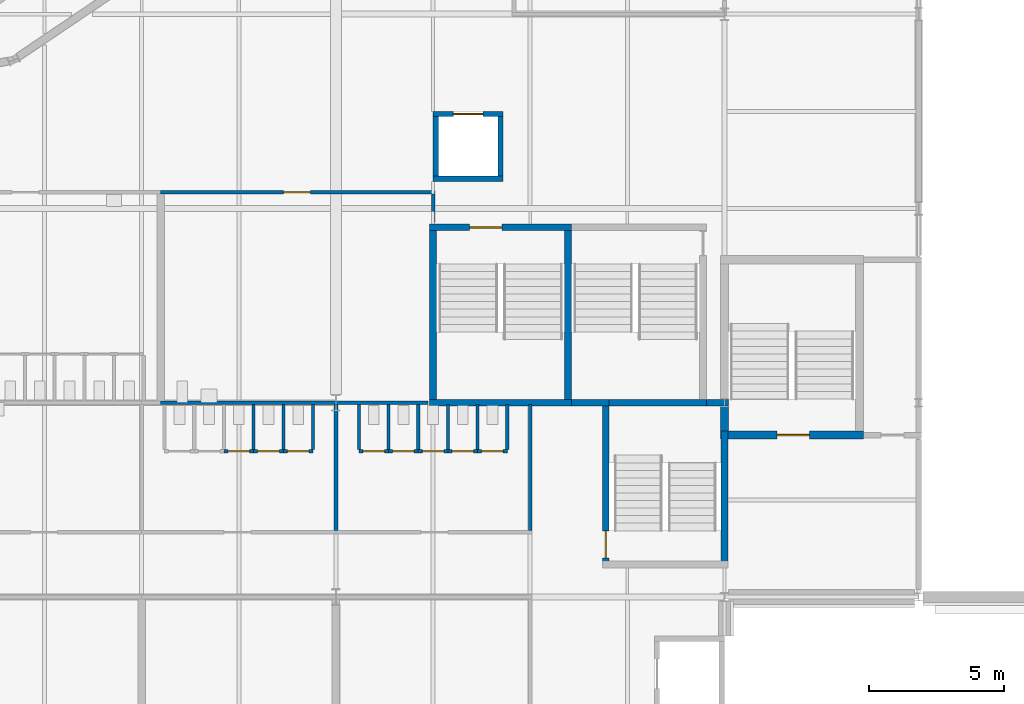
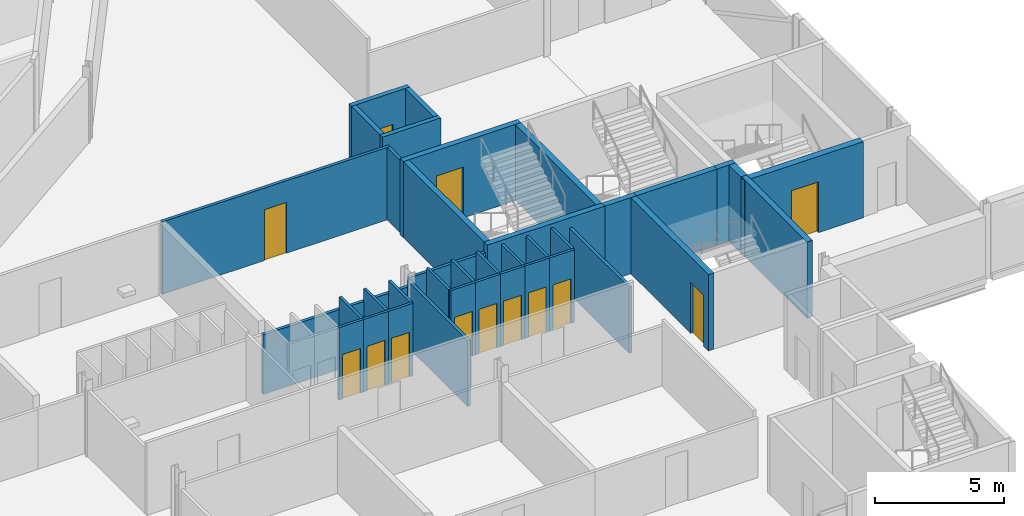
# One storey, part 49 of 90: 38 walls, 13 doors, 13 openings.
"""IFC4 building model written with IfcOpenShell, lengths in metres."""

from ifc_helpers import new_model, si_unit, direction, frame, frame_2d, origin, place, context, subcontext, project, spatial, rectangle, extrude, material, layer, layer_set, type_object, element, fill, save


model = new_model("IFC4")

# Units and contexts
model_context = context("Model", 3, precision=1e-05, world=origin(), true_north=direction((0.0, 1.0)))
body_context = subcontext(model_context, "Body", "Model", "MODEL_VIEW")
ifc_project = project(units=[si_unit("LENGTHUNIT", "METRE"), si_unit("AREAUNIT", "SQUARE_METRE"), si_unit("VOLUMEUNIT", "CUBIC_METRE"), si_unit("PLANEANGLEUNIT", "RADIAN"), si_unit("MASSUNIT", "GRAM", prefix="KILO")], contexts=[model_context])

# Site, building, storey
site_placement = place(None, origin())
site = spatial("IfcSite", under=ifc_project, at=site_placement, CompositionType="ELEMENT")
building_placement = place(site_placement, origin())
building = spatial("IfcBuilding", under=site, at=building_placement, Name="Kupolbacken Congress Centre", CompositionType="ELEMENT")
storey_placement = place(building_placement, frame((0.0, 0.0, 3.60009765625)))
storey = spatial("IfcBuildingStorey", under=building, at=storey_placement, Name="L01", CompositionType="ELEMENT", Elevation=3.60009765625)

# Wall, opening, door
ifc_material_1 = material(Name="Gypsum board", Category="drywall")
ifc_layer_1 = layer(ifc_material_1, 0.114990234375)
ifc_layer_set_1 = layer_set([ifc_layer_1], Name="Gypsum board")
wall_type_1 = type_object("IfcWallType", Name="P04 partition 115", PredefinedType="PARTITIONING", material=ifc_layer_set_1)
wall_1_placement = place(storey_placement, frame((60.64990234375, 48.60009765625, 0.0), z_axis=(0.0, 0.0, 1.0), x_axis=(1.0, 0.0, 0.0)))
wall_1 = element("IfcWall", 1, at=wall_1_placement, inside=storey, type_object=wall_type_1, Name="PD/L01/F-WC-02/cub03/F", PredefinedType="PARTITIONING", context=body_context, shape_type="SweptSolid", body=[
    extrude(rectangle(XDim=1.10009765625, YDim=0.114990234375, at=frame_2d((0.550048828125, 0.0))), origin(), (0.0, 0.0, 1.0), 3.419921875),
])
opening_1_placement = place(wall_1_placement, frame((0.14990234375, 0.0, 0.0)))
opening_1 = element("IfcOpeningElement", 2, at=opening_1_placement, cuts=wall_1, Name="Opening 1.WF23", PredefinedType="OPENING", context=body_context, shape_type="SweptSolid", body=[
    extrude(rectangle(XDim=0.800048828125, YDim=2.10009765625, at=frame_2d((0.39990234375, 1.050048828125))), frame((0.0, 0.0673828125, 0.0), z_axis=(0.0, -1.0, 0.0), x_axis=(1.0, 0.0, 0.0)), (0.0, 0.0, 1.0), 0.135009765625),
])
ifc_material_2 = material(Name="Timber door leaf", Category="wood")
door_type_1 = type_object("IfcDoorType", Name="D2 door 800x2100", OperationType="SINGLE_SWING_LEFT", PredefinedType="DOOR", material=ifc_material_2)
door_1_placement = place(opening_1_placement, origin())
door_1 = element("IfcDoor", 3, at=door_1_placement, inside=storey, type_object=door_type_1, Name="PD/L01/F-WC-02/cub03/F/DC", OperationType="SINGLE_SWING_RIGHT", OverallHeight=2.10009765625, OverallWidth=0.800048828125, PredefinedType="DOOR", context=body_context, shape_type="SweptSolid", body=[
    extrude(rectangle(XDim=0.800048828125, YDim=2.10009765625, at=frame_2d((0.39990234375, 1.050048828125))), frame((0.0, 0.02490234375, 0.0), z_axis=(0.0, -1.0, 0.0), x_axis=(1.0, 0.0, 0.0)), (0.0, 0.0, 1.0), 0.050048828125),
])
fill(opening_1, door_1)

wall_2_placement = place(storey_placement, frame((61.75, 48.60009765625, 0.0), z_axis=(0.0, 0.0, 1.0), x_axis=(1.0, 0.0, 0.0)))
wall_2 = element("IfcWall", 4, at=wall_2_placement, inside=storey, type_object=wall_type_1, Name="PD/L01/F-WC-02/cub04/F", PredefinedType="PARTITIONING", context=body_context, shape_type="SweptSolid", body=[
    extrude(rectangle(XDim=1.10009765625, YDim=0.114990234375, at=frame_2d((0.550048828125, 0.0))), origin(), (0.0, 0.0, 1.0), 3.419921875),
])
opening_2_placement = place(wall_2_placement, frame((0.14990234375, 0.0, 0.0)))
opening_2 = element("IfcOpeningElement", 5, at=opening_2_placement, cuts=wall_2, Name="Opening 1.WF24", PredefinedType="OPENING", context=body_context, shape_type="SweptSolid", body=[
    extrude(rectangle(XDim=0.800048828125, YDim=2.10009765625, at=frame_2d((0.39990234375, 1.050048828125))), frame((0.0, 0.0673828125, 0.0), z_axis=(0.0, -1.0, 0.0), x_axis=(1.0, 0.0, 0.0)), (0.0, 0.0, 1.0), 0.135009765625),
])
door_2_placement = place(opening_2_placement, origin())
door_2 = element("IfcDoor", 6, at=door_2_placement, inside=storey, type_object=door_type_1, Name="PD/L01/F-WC-02/cub04/F/DC", OperationType="SINGLE_SWING_LEFT", OverallHeight=2.10009765625, OverallWidth=0.800048828125, PredefinedType="DOOR", context=body_context, shape_type="SweptSolid", body=[
    extrude(rectangle(XDim=0.800048828125, YDim=2.10009765625, at=frame_2d((0.39990234375, 1.050048828125))), frame((0.0, 0.02490234375, 0.0), z_axis=(0.0, -1.0, 0.0), x_axis=(1.0, 0.0, 0.0)), (0.0, 0.0, 1.0), 0.050048828125),
])
fill(opening_2, door_2)

# Wall
wall_3_placement = place(storey_placement, frame((61.75, 50.342529296875, 0.0), z_axis=(0.0, 0.0, 1.0), x_axis=(0.0, -1.0, 0.0)))
element("IfcWall", 7, at=wall_3_placement, inside=storey, type_object=wall_type_1, Name="PD/L01/F-WC-02/cub04/a", PredefinedType="PARTITIONING", context=body_context, shape_type="SweptSolid", body=[
    extrude(rectangle(XDim=1.68505859375, YDim=0.114990234375, at=frame_2d((0.842529296875, 0.0))), origin(), (0.0, 0.0, 1.0), 3.419921875),
])

# Wall, opening, door
wall_4_placement = place(storey_placement, frame((62.85009765625, 48.60009765625, 0.0), z_axis=(0.0, 0.0, 1.0), x_axis=(1.0, 0.0, 0.0)))
wall_4 = element("IfcWall", 8, at=wall_4_placement, inside=storey, type_object=wall_type_1, Name="PD/L01/F-WC-02/cub05/F", PredefinedType="PARTITIONING", context=body_context, shape_type="SweptSolid", body=[
    extrude(rectangle(XDim=1.099853515625, YDim=0.114990234375, at=frame_2d((0.5498046875, 0.0))), origin(), (0.0, 0.0, 1.0), 3.419921875),
])
opening_3_placement = place(wall_4_placement, frame((0.14990234375, 0.0, 0.0)))
opening_3 = element("IfcOpeningElement", 9, at=opening_3_placement, cuts=wall_4, Name="Opening 1.WF25", PredefinedType="OPENING", context=body_context, shape_type="SweptSolid", body=[
    extrude(rectangle(XDim=0.800048828125, YDim=2.10009765625, at=frame_2d((0.39990234375, 1.050048828125))), frame((0.0, 0.0673828125, 0.0), z_axis=(0.0, -1.0, 0.0), x_axis=(1.0, 0.0, 0.0)), (0.0, 0.0, 1.0), 0.135009765625),
])
door_3_placement = place(opening_3_placement, origin())
door_3 = element("IfcDoor", 10, at=door_3_placement, inside=storey, type_object=door_type_1, Name="PD/L01/F-WC-02/cub05/F/DC", OperationType="SINGLE_SWING_LEFT", OverallHeight=2.10009765625, OverallWidth=0.800048828125, PredefinedType="DOOR", context=body_context, shape_type="SweptSolid", body=[
    extrude(rectangle(XDim=0.800048828125, YDim=2.10009765625, at=frame_2d((0.39990234375, 1.050048828125))), frame((0.0, 0.02490234375, 0.0), z_axis=(0.0, -1.0, 0.0), x_axis=(1.0, 0.0, 0.0)), (0.0, 0.0, 1.0), 0.050048828125),
])
fill(opening_3, door_3)

# Walls
for number, where, z_axis, x_axis, name in (
    (11, (62.85009765625, 50.342529296875, 0.0), (0.0, 0.0, 1.0), (0.0, -1.0, 0.0), "PD/L01/F-WC-02/cub05/a"),
    (12, (63.949951171875, 50.342529296875, 0.0), (0.0, 0.0, 1.0), (0.0, -1.0, 0.0), "PD/L01/F-WC-02/cub05/b"),
):
    element("IfcWall", number, at=place(storey_placement, frame(where, z_axis=z_axis, x_axis=x_axis)), inside=storey, type_object=wall_type_1, Name=name, PredefinedType="PARTITIONING", context=body_context, shape_type="SweptSolid", body=[
        extrude(rectangle(XDim=1.68505859375, YDim=0.114990234375, at=frame_2d((0.842529296875, 0.0))), origin(), (0.0, 0.0, 1.0), 3.419921875),
    ])

# Wall, opening, door
wall_5_placement = place(storey_placement, frame((65.64990234375, 48.60009765625, 0.0), z_axis=(0.0, 0.0, 1.0), x_axis=(1.0, 0.0, 0.0)))
wall_5 = element("IfcWall", 13, at=wall_5_placement, inside=storey, type_object=wall_type_1, Name="PD/L01/F-WC-03/cub01/F", PredefinedType="PARTITIONING", context=body_context, shape_type="SweptSolid", body=[
    extrude(rectangle(XDim=1.10009765625, YDim=0.114990234375, at=frame_2d((0.550048828125, 0.0))), origin(), (0.0, 0.0, 1.0), 3.419921875),
])
opening_4_placement = place(wall_5_placement, frame((0.14990234375, 0.0, 0.0)))
opening_4 = element("IfcOpeningElement", 14, at=opening_4_placement, cuts=wall_5, Name="Opening 1.WF26", PredefinedType="OPENING", context=body_context, shape_type="SweptSolid", body=[
    extrude(rectangle(XDim=0.800048828125, YDim=2.10009765625, at=frame_2d((0.39990234375, 1.050048828125))), frame((0.0, 0.0673828125, 0.0), z_axis=(0.0, -1.0, 0.0), x_axis=(1.0, 0.0, 0.0)), (0.0, 0.0, 1.0), 0.135009765625),
])
door_4_placement = place(opening_4_placement, origin())
door_4 = element("IfcDoor", 15, at=door_4_placement, inside=storey, type_object=door_type_1, Name="PD/L01/F-WC-03/cub01/F/DC", OperationType="SINGLE_SWING_RIGHT", OverallHeight=2.10009765625, OverallWidth=0.800048828125, PredefinedType="DOOR", context=body_context, shape_type="SweptSolid", body=[
    extrude(rectangle(XDim=0.800048828125, YDim=2.10009765625, at=frame_2d((0.39990234375, 1.050048828125))), frame((0.0, 0.02490234375, 0.0), z_axis=(0.0, -1.0, 0.0), x_axis=(1.0, 0.0, 0.0)), (0.0, 0.0, 1.0), 0.050048828125),
])
fill(opening_4, door_4)

# Wall
wall_6_placement = place(storey_placement, frame((65.64990234375, 50.342529296875, 0.0), z_axis=(0.0, 0.0, 1.0), x_axis=(0.0, -1.0, 0.0)))
element("IfcWall", 16, at=wall_6_placement, inside=storey, type_object=wall_type_1, Name="PD/L01/F-WC-03/cub01/a", PredefinedType="PARTITIONING", context=body_context, shape_type="SweptSolid", body=[
    extrude(rectangle(XDim=1.68505859375, YDim=0.114990234375, at=frame_2d((0.842529296875, 0.0))), origin(), (0.0, 0.0, 1.0), 3.419921875),
])

# Wall, opening, door
wall_7_placement = place(storey_placement, frame((66.75, 48.60009765625, 0.0), z_axis=(0.0, 0.0, 1.0), x_axis=(1.0, 0.0, 0.0)))
wall_7 = element("IfcWall", 17, at=wall_7_placement, inside=storey, type_object=wall_type_1, Name="PD/L01/F-WC-03/cub02/F", PredefinedType="PARTITIONING", context=body_context, shape_type="SweptSolid", body=[
    extrude(rectangle(XDim=1.10009765625, YDim=0.114990234375, at=frame_2d((0.550048828125, 0.0))), origin(), (0.0, 0.0, 1.0), 3.419921875),
])
opening_5_placement = place(wall_7_placement, frame((0.14990234375, 0.0, 0.0)))
opening_5 = element("IfcOpeningElement", 18, at=opening_5_placement, cuts=wall_7, Name="Opening 1.WF27", PredefinedType="OPENING", context=body_context, shape_type="SweptSolid", body=[
    extrude(rectangle(XDim=0.800048828125, YDim=2.10009765625, at=frame_2d((0.39990234375, 1.050048828125))), frame((0.0, 0.0673828125, 0.0), z_axis=(0.0, -1.0, 0.0), x_axis=(1.0, 0.0, 0.0)), (0.0, 0.0, 1.0), 0.135009765625),
])
door_5_placement = place(opening_5_placement, origin())
door_5 = element("IfcDoor", 19, at=door_5_placement, inside=storey, type_object=door_type_1, Name="PD/L01/F-WC-03/cub02/F/DC", OperationType="SINGLE_SWING_RIGHT", OverallHeight=2.10009765625, OverallWidth=0.800048828125, PredefinedType="DOOR", context=body_context, shape_type="SweptSolid", body=[
    extrude(rectangle(XDim=0.800048828125, YDim=2.10009765625, at=frame_2d((0.39990234375, 1.050048828125))), frame((0.0, 0.02490234375, 0.0), z_axis=(0.0, -1.0, 0.0), x_axis=(1.0, 0.0, 0.0)), (0.0, 0.0, 1.0), 0.050048828125),
])
fill(opening_5, door_5)

# Wall
wall_8_placement = place(storey_placement, frame((66.75, 50.342529296875, 0.0), z_axis=(0.0, 0.0, 1.0), x_axis=(0.0, -1.0, 0.0)))
element("IfcWall", 20, at=wall_8_placement, inside=storey, type_object=wall_type_1, Name="PD/L01/F-WC-03/cub02/a", PredefinedType="PARTITIONING", context=body_context, shape_type="SweptSolid", body=[
    extrude(rectangle(XDim=1.68505859375, YDim=0.114990234375, at=frame_2d((0.842529296875, 0.0))), origin(), (0.0, 0.0, 1.0), 3.419921875),
])

# Wall, opening, door
wall_9_placement = place(storey_placement, frame((67.85009765625, 48.60009765625, 0.0), z_axis=(0.0, 0.0, 1.0), x_axis=(1.0, 0.0, 0.0)))
wall_9 = element("IfcWall", 21, at=wall_9_placement, inside=storey, type_object=wall_type_1, Name="PD/L01/F-WC-03/cub03/F", PredefinedType="PARTITIONING", context=body_context, shape_type="SweptSolid", body=[
    extrude(rectangle(XDim=1.099853515625, YDim=0.114990234375, at=frame_2d((0.5498046875, 0.0))), origin(), (0.0, 0.0, 1.0), 3.419921875),
])
opening_6_placement = place(wall_9_placement, frame((0.14990234375, 0.0, 0.0)))
opening_6 = element("IfcOpeningElement", 22, at=opening_6_placement, cuts=wall_9, Name="Opening 1.WF28", PredefinedType="OPENING", context=body_context, shape_type="SweptSolid", body=[
    extrude(rectangle(XDim=0.800048828125, YDim=2.10009765625, at=frame_2d((0.39990234375, 1.050048828125))), frame((0.0, 0.0673828125, 0.0), z_axis=(0.0, -1.0, 0.0), x_axis=(1.0, 0.0, 0.0)), (0.0, 0.0, 1.0), 0.135009765625),
])
door_6_placement = place(opening_6_placement, origin())
door_6 = element("IfcDoor", 23, at=door_6_placement, inside=storey, type_object=door_type_1, Name="PD/L01/F-WC-03/cub03/F/DC", OperationType="SINGLE_SWING_LEFT", OverallHeight=2.10009765625, OverallWidth=0.800048828125, PredefinedType="DOOR", context=body_context, shape_type="SweptSolid", body=[
    extrude(rectangle(XDim=0.800048828125, YDim=2.10009765625, at=frame_2d((0.39990234375, 1.050048828125))), frame((0.0, 0.02490234375, 0.0), z_axis=(0.0, -1.0, 0.0), x_axis=(1.0, 0.0, 0.0)), (0.0, 0.0, 1.0), 0.050048828125),
])
fill(opening_6, door_6)

# Wall
wall_10_placement = place(storey_placement, frame((67.85009765625, 50.342529296875, 0.0), z_axis=(0.0, 0.0, 1.0), x_axis=(0.0, -1.0, 0.0)))
element("IfcWall", 24, at=wall_10_placement, inside=storey, type_object=wall_type_1, Name="PD/L01/F-WC-03/cub03/a", PredefinedType="PARTITIONING", context=body_context, shape_type="SweptSolid", body=[
    extrude(rectangle(XDim=1.68505859375, YDim=0.114990234375, at=frame_2d((0.842529296875, 0.0))), origin(), (0.0, 0.0, 1.0), 3.419921875),
])

# Wall, opening, door
wall_11_placement = place(storey_placement, frame((68.949951171875, 48.60009765625, 0.0), z_axis=(0.0, 0.0, 1.0), x_axis=(1.0, 0.0, 0.0)))
wall_11 = element("IfcWall", 25, at=wall_11_placement, inside=storey, type_object=wall_type_1, Name="PD/L01/F-WC-03/cub04/F", PredefinedType="PARTITIONING", context=body_context, shape_type="SweptSolid", body=[
    extrude(rectangle(XDim=1.10009765625, YDim=0.114990234375, at=frame_2d((0.550048828125, 0.0))), origin(), (0.0, 0.0, 1.0), 3.419921875),
])
opening_7_placement = place(wall_11_placement, frame((0.14990234375, 0.0, 0.0)))
opening_7 = element("IfcOpeningElement", 26, at=opening_7_placement, cuts=wall_11, Name="Opening 1.WF29", PredefinedType="OPENING", context=body_context, shape_type="SweptSolid", body=[
    extrude(rectangle(XDim=0.800048828125, YDim=2.10009765625, at=frame_2d((0.39990234375, 1.050048828125))), frame((0.0, 0.0673828125, 0.0), z_axis=(0.0, -1.0, 0.0), x_axis=(1.0, 0.0, 0.0)), (0.0, 0.0, 1.0), 0.135009765625),
])
door_7_placement = place(opening_7_placement, origin())
door_7 = element("IfcDoor", 27, at=door_7_placement, inside=storey, type_object=door_type_1, Name="PD/L01/F-WC-03/cub04/F/DC", OperationType="SINGLE_SWING_RIGHT", OverallHeight=2.10009765625, OverallWidth=0.800048828125, PredefinedType="DOOR", context=body_context, shape_type="SweptSolid", body=[
    extrude(rectangle(XDim=0.800048828125, YDim=2.10009765625, at=frame_2d((0.39990234375, 1.050048828125))), frame((0.0, 0.02490234375, 0.0), z_axis=(0.0, -1.0, 0.0), x_axis=(1.0, 0.0, 0.0)), (0.0, 0.0, 1.0), 0.050048828125),
])
fill(opening_7, door_7)

# Wall
wall_12_placement = place(storey_placement, frame((68.949951171875, 50.342529296875, 0.0), z_axis=(0.0, 0.0, 1.0), x_axis=(0.0, -1.0, 0.0)))
element("IfcWall", 28, at=wall_12_placement, inside=storey, type_object=wall_type_1, Name="PD/L01/F-WC-03/cub04/a", PredefinedType="PARTITIONING", context=body_context, shape_type="SweptSolid", body=[
    extrude(rectangle(XDim=1.68505859375, YDim=0.114990234375, at=frame_2d((0.842529296875, 0.0))), origin(), (0.0, 0.0, 1.0), 3.419921875),
])

# Wall, opening, door
wall_13_placement = place(storey_placement, frame((70.050048828125, 48.60009765625, 0.0), z_axis=(0.0, 0.0, 1.0), x_axis=(1.0, 0.0, 0.0)))
wall_13 = element("IfcWall", 29, at=wall_13_placement, inside=storey, type_object=wall_type_1, Name="PD/L01/F-WC-03/cub05/F", PredefinedType="PARTITIONING", context=body_context, shape_type="SweptSolid", body=[
    extrude(rectangle(XDim=1.099853515625, YDim=0.114990234375, at=frame_2d((0.5498046875, 0.0))), origin(), (0.0, 0.0, 1.0), 3.419921875),
])
opening_8_placement = place(wall_13_placement, frame((0.14990234375, 0.0, 0.0)))
opening_8 = element("IfcOpeningElement", 30, at=opening_8_placement, cuts=wall_13, Name="Opening 1.WF30", PredefinedType="OPENING", context=body_context, shape_type="SweptSolid", body=[
    extrude(rectangle(XDim=0.800048828125, YDim=2.10009765625, at=frame_2d((0.39990234375, 1.050048828125))), frame((0.0, 0.0673828125, 0.0), z_axis=(0.0, -1.0, 0.0), x_axis=(1.0, 0.0, 0.0)), (0.0, 0.0, 1.0), 0.135009765625),
])
door_8_placement = place(opening_8_placement, origin())
door_8 = element("IfcDoor", 31, at=door_8_placement, inside=storey, type_object=door_type_1, Name="PD/L01/F-WC-03/cub05/F/DC", OperationType="SINGLE_SWING_LEFT", OverallHeight=2.10009765625, OverallWidth=0.800048828125, PredefinedType="DOOR", context=body_context, shape_type="SweptSolid", body=[
    extrude(rectangle(XDim=0.800048828125, YDim=2.10009765625, at=frame_2d((0.39990234375, 1.050048828125))), frame((0.0, 0.02490234375, 0.0), z_axis=(0.0, -1.0, 0.0), x_axis=(1.0, 0.0, 0.0)), (0.0, 0.0, 1.0), 0.050048828125),
])
fill(opening_8, door_8)

# Walls
for number, where, z_axis, x_axis, name in (
    (32, (70.050048828125, 50.342529296875, 0.0), (0.0, 0.0, 1.0), (0.0, -1.0, 0.0), "PD/L01/F-WC-03/cub05/a"),
    (33, (71.14990234375, 50.342529296875, 0.0), (0.0, 0.0, 1.0), (0.0, -1.0, 0.0), "PD/L01/F-WC-03/cub05/b"),
):
    element("IfcWall", number, at=place(storey_placement, frame(where, z_axis=z_axis, x_axis=x_axis)), inside=storey, type_object=wall_type_1, Name=name, PredefinedType="PARTITIONING", context=body_context, shape_type="SweptSolid", body=[
        extrude(rectangle(XDim=1.68505859375, YDim=0.114990234375, at=frame_2d((0.842529296875, 0.0))), origin(), (0.0, 0.0, 1.0), 3.419921875),
    ])
ifc_material_3 = material(Name="Gypsum board", Category="drywall")
ifc_layer_2 = layer(ifc_material_3, 0.135009765625)
ifc_layer_set_2 = layer_set([ifc_layer_2], Name="Gypsum board")
wall_type_2 = type_object("IfcWallType", Name="P06 compartment wall 135", PredefinedType="PARTITIONING", material=ifc_layer_set_2)
wall_14_placement = place(storey_placement, frame((72.0, 45.66748046875, 0.0), z_axis=(0.0, 0.0, 1.0), x_axis=(0.0, 1.0, 0.0)))
element("IfcWall", 34, at=wall_14_placement, inside=storey, type_object=wall_type_2, Name="PD/L01/W003", PredefinedType="PARTITIONING", context=body_context, shape_type="SweptSolid", body=[
    extrude(rectangle(XDim=4.672607421875, YDim=0.135009765625, at=frame_2d((2.33642578125, 0.0))), origin(), (0.0, 0.0, 1.0), 3.119873046875),
])
wall_15_placement = place(storey_placement, frame((68.39990234375, 57.0849609375, 0.0), z_axis=(0.0, 0.0, 1.0), x_axis=(0.0, 1.0, 0.0)))
element("IfcWall", 35, at=wall_15_placement, inside=storey, type_object=wall_type_2, Name="PD/L01/W005", PredefinedType="PARTITIONING", context=body_context, shape_type="SweptSolid", body=[
    extrude(rectangle(XDim=1.047607421875, YDim=0.135009765625, at=frame_2d((0.52392578125, 0.0))), origin(), (0.0, 0.0, 1.0), 3.419921875),
])
wall_16_placement = place(storey_placement, frame((64.800048828125, 50.33251953125, 0.0), z_axis=(0.0, 0.0, 1.0), x_axis=(0.0, -1.0, 0.0)))
element("IfcWall", 36, at=wall_16_placement, inside=storey, type_object=wall_type_2, Name="PD/L01/W051", PredefinedType="PARTITIONING", context=body_context, shape_type="SweptSolid", body=[
    extrude(rectangle(XDim=4.6650390625, YDim=0.135009765625, at=frame_2d((2.33251953125, 0.0))), origin(), (0.0, 0.0, 1.0), 3.119873046875),
])
wall_17_placement = place(storey_placement, frame((58.300048828125, 50.39990234375, 0.0), z_axis=(0.0, 0.0, 1.0), x_axis=(1.0, 0.0, 0.0)))
element("IfcWall", 37, at=wall_17_placement, inside=storey, type_object=wall_type_2, Name="PD/L01/W053", PredefinedType="PARTITIONING", context=body_context, shape_type="SweptSolid", body=[
    extrude(rectangle(XDim=6.5, YDim=0.135009765625, at=frame_2d((3.25, 0.0))), origin(), (0.0, 0.0, 1.0), 2.81982421875),
])
wall_18_placement = place(storey_placement, frame((64.800048828125, 50.39990234375, 0.0), z_axis=(0.0, 0.0, 1.0), x_axis=(1.0, 0.0, 0.0)))
element("IfcWall", 38, at=wall_18_placement, inside=storey, type_object=wall_type_2, Name="PD/L01/W054", PredefinedType="PARTITIONING", context=body_context, shape_type="SweptSolid", body=[
    extrude(rectangle(XDim=3.4150390625, YDim=0.135009765625, at=frame_2d((1.70751953125, 0.0))), origin(), (0.0, 0.0, 1.0), 3.219970703125),
])

# Wall, opening, door
wall_19_placement = place(storey_placement, frame((58.300048828125, 58.199951171875, 0.0), z_axis=(0.0, 0.0, 1.0), x_axis=(1.0, 0.0, 0.0)))
wall_19 = element("IfcWall", 39, at=wall_19_placement, inside=storey, type_object=wall_type_2, Name="PD/L01/W081", PredefinedType="PARTITIONING", context=body_context, shape_type="SweptSolid", body=[
    extrude(rectangle(XDim=10.16748046875, YDim=0.135009765625, at=frame_2d((5.083740234375, 0.0))), origin(), (0.0, 0.0, 1.0), 3.419921875),
])
opening_9_placement = place(wall_19_placement, frame((4.550048828125, 0.0, 0.0)))
opening_9 = element("IfcOpeningElement", 40, at=opening_9_placement, cuts=wall_19, Name="Opening 1.P21", PredefinedType="OPENING", context=body_context, shape_type="SweptSolid", body=[
    extrude(rectangle(XDim=1.0, YDim=2.39990234375, at=frame_2d((0.5, 1.199951171875))), frame((0.0, 0.077392578125, 0.0), z_axis=(0.0, -1.0, 0.0), x_axis=(1.0, 0.0, 0.0)), (0.0, 0.0, 1.0), 0.155029296875),
])
ifc_material_4 = material(Name="Steel fire door leaf", Category="steel")
door_type_2 = type_object("IfcDoorType", Name="D8 fire door 1000x2400", OperationType="SINGLE_SWING_LEFT", PredefinedType="DOOR", material=ifc_material_4)
door_9_placement = place(opening_9_placement, frame((1.0, 0.0, 0.0), z_axis=(0.0, 0.0, 1.0), x_axis=(-1.0, 0.0, 0.0)))
door_9 = element("IfcDoor", 41, at=door_9_placement, inside=storey, type_object=door_type_2, Name="PD/L01/W081/D1P21", OperationType="SINGLE_SWING_RIGHT", OverallHeight=2.39990234375, OverallWidth=1.0, PredefinedType="DOOR", context=body_context, shape_type="SweptSolid", body=[
    extrude(rectangle(XDim=1.0, YDim=2.39990234375, at=frame_2d((0.5, 1.199951171875))), frame((0.0, 0.02490234375, 0.0), z_axis=(0.0, -1.0, 0.0), x_axis=(1.0, 0.0, 0.0)), (0.0, 0.0, 1.0), 0.050048828125),
])
fill(opening_9, door_9)

# Wall
ifc_material_5 = material(Name="Concrete C40/50", Category="concrete")
ifc_layer_3 = layer(ifc_material_5, 0.199951171875)
ifc_layer_set_3 = layer_set([ifc_layer_3], Name="Concrete C40/50")
wall_type_3 = type_object("IfcWallType", Name="WC1 RC shaft wall 200", PredefinedType="SHEAR", material=ifc_layer_set_3)
wall_20_placement = place(storey_placement, frame((68.39990234375, 58.699951171875, 0.0), z_axis=(0.0, 0.0, 1.0), x_axis=(1.0, 0.0, 0.0)))
element("IfcWall", 42, at=wall_20_placement, inside=storey, type_object=wall_type_3, Name="Shaft wall LP6", PredefinedType="SHEAR", context=body_context, shape_type="SweptSolid", body=[
    extrude(rectangle(XDim=2.60009765625, YDim=0.199951171875, at=frame_2d((1.300048828125, 0.0))), origin(), (0.0, 0.0, 1.0), 3.599853515625),
])

# Wall, opening, door
wall_21_placement = place(storey_placement, frame((68.39990234375, 61.10009765625, 0.0), z_axis=(0.0, 0.0, 1.0), x_axis=(1.0, 0.0, 0.0)))
wall_21 = element("IfcWall", 43, at=wall_21_placement, inside=storey, type_object=wall_type_3, Name="Shaft wall LP6", PredefinedType="SHEAR", context=body_context, shape_type="SweptSolid", body=[
    extrude(rectangle(XDim=2.60009765625, YDim=0.199951171875, at=frame_2d((1.300048828125, 0.0))), origin(), (0.0, 0.0, 1.0), 3.599853515625),
])
opening_10_placement = place(wall_21_placement, frame((0.75, 0.0, 0.0)))
opening_10 = element("IfcOpeningElement", 44, at=opening_10_placement, cuts=wall_21, Name="Opening LD2", PredefinedType="OPENING", context=body_context, shape_type="SweptSolid", body=[
    extrude(rectangle(XDim=1.10009765625, YDim=2.10009765625, at=frame_2d((0.550048828125, 1.050048828125))), frame((0.0, 0.10986328125, 0.0), z_axis=(0.0, -1.0, 0.0), x_axis=(1.0, 0.0, 0.0)), (0.0, 0.0, 1.0), 0.219970703125),
])
ifc_material_6 = material(Name="Stainless steel door leaf", Category="steel")
door_type_3 = type_object("IfcDoorType", Name="LD2 lift landing door 1100x2100", OperationType="SLIDING_TO_LEFT", PredefinedType="DOOR", material=ifc_material_6)
door_10_placement = place(opening_10_placement, origin())
door_10 = element("IfcDoor", 45, at=door_10_placement, inside=storey, type_object=door_type_3, Name="Lift landing door LP6", OperationType="SLIDING_TO_LEFT", OverallHeight=2.10009765625, OverallWidth=1.10009765625, PredefinedType="DOOR", context=body_context, shape_type="SweptSolid", body=[
    extrude(rectangle(XDim=1.10009765625, YDim=2.10009765625, at=frame_2d((0.550048828125, 1.050048828125))), frame((0.0, 0.02490234375, 0.0), z_axis=(0.0, -1.0, 0.0), x_axis=(1.0, 0.0, 0.0)), (0.0, 0.0, 1.0), 0.050048828125),
])
fill(opening_10, door_10)

# Walls
for number, where, z_axis, x_axis, name in (
    (46, (68.5, 58.800048828125, 0.0), (0.0, 0.0, 1.0), (0.0, 1.0, 0.0), "Shaft wall LP6"),
    (47, (70.89990234375, 58.800048828125, 0.0), (0.0, 0.0, 1.0), (0.0, 1.0, 0.0), "Shaft wall LP6"),
):
    element("IfcWall", number, at=place(storey_placement, frame(where, z_axis=z_axis, x_axis=x_axis)), inside=storey, type_object=wall_type_3, Name=name, PredefinedType="SHEAR", context=body_context, shape_type="SweptSolid", body=[
        extrude(rectangle(XDim=2.199951171875, YDim=0.199951171875, at=frame_2d((1.10009765625, 0.0))), origin(), (0.0, 0.0, 1.0), 3.599853515625),
    ])
ifc_material_7 = material(Name="Concrete C40/50", Category="concrete")
ifc_layer_4 = layer(ifc_material_7, 0.25)
ifc_layer_set_4 = layer_set([ifc_layer_4], Name="Concrete C40/50")
wall_type_4 = type_object("IfcWallType", Name="WC2 RC stair enclosure wall 250", PredefinedType="SHEAR", material=ifc_layer_set_4)
wall_22_placement = place(storey_placement, frame((79.199951171875, 44.27490234375, 0.0), z_axis=(0.0, 0.0, 1.0), x_axis=(0.0, 1.0, 0.0)))
element("IfcWall", 48, at=wall_22_placement, inside=storey, type_object=wall_type_4, Name="Stair enclosure wall L01-017", PredefinedType="SHEAR", context=body_context, shape_type="SweptSolid", body=[
    extrude(rectangle(XDim=5.0751953125, YDim=0.25, at=frame_2d((2.53759765625, 0.0))), origin(), (0.0, 0.0, 1.0), 3.599853515625),
])
wall_23_placement = place(storey_placement, frame((68.27490234375, 50.39990234375, 0.0), z_axis=(0.0, 0.0, 1.0), x_axis=(1.0, 0.0, 0.0)))
element("IfcWall", 49, at=wall_23_placement, inside=storey, type_object=wall_type_4, Name="Stair enclosure wall L01-027", PredefinedType="SHEAR", context=body_context, shape_type="SweptSolid", body=[
    extrude(rectangle(XDim=5.25, YDim=0.25, at=frame_2d((2.625, 0.0))), origin(), (0.0, 0.0, 1.0), 3.599853515625),
])
wall_24_placement = place(storey_placement, frame((73.52490234375, 50.39990234375, 0.0), z_axis=(0.0, 0.0, 1.0), x_axis=(1.0, 0.0, 0.0)))
element("IfcWall", 50, at=wall_24_placement, inside=storey, type_object=wall_type_4, Name="Stair enclosure wall L01-028", PredefinedType="SHEAR", context=body_context, shape_type="SweptSolid", body=[
    extrude(rectangle(XDim=1.400146484375, YDim=0.25, at=frame_2d((0.7001953125, 0.0))), origin(), (0.0, 0.0, 1.0), 3.599853515625),
])
wall_25_placement = place(storey_placement, frame((73.39990234375, 50.27490234375, 0.0), z_axis=(0.0, 0.0, 1.0), x_axis=(0.0, 1.0, 0.0)))
element("IfcWall", 51, at=wall_25_placement, inside=storey, type_object=wall_type_4, Name="Stair enclosure wall L01-029", PredefinedType="SHEAR", context=body_context, shape_type="SweptSolid", body=[
    extrude(rectangle(XDim=6.75, YDim=0.25, at=frame_2d((3.375, 0.0))), origin(), (0.0, 0.0, 1.0), 3.599853515625),
])

# Wall, opening, door
wall_26_placement = place(storey_placement, frame((74.800048828125, 50.52490234375, 0.0), z_axis=(0.0, 0.0, 1.0), x_axis=(0.0, -1.0, 0.0)))
wall_26 = element("IfcWall", 52, at=wall_26_placement, inside=storey, type_object=wall_type_4, Name="Stair enclosure wall L01-030", PredefinedType="SHEAR", context=body_context, shape_type="SweptSolid", body=[
    extrude(rectangle(XDim=6.25, YDim=0.25, at=frame_2d((3.125, 0.0))), origin(), (0.0, 0.0, 1.0), 3.599853515625),
])
opening_11_placement = place(wall_26_placement, frame((4.875, 0.0, 0.0)))
opening_11 = element("IfcOpeningElement", 53, at=opening_11_placement, cuts=wall_26, Name="Opening 1.F05", PredefinedType="OPENING", context=body_context, shape_type="SweptSolid", body=[
    extrude(rectangle(XDim=1.0, YDim=2.39990234375, at=frame_2d((0.5, 1.199951171875))), frame((0.0, 0.135009765625, 0.0), z_axis=(0.0, -1.0, 0.0), x_axis=(1.0, 0.0, 0.0)), (0.0, 0.0, 1.0), 0.27001953125),
])
door_11_placement = place(opening_11_placement, origin())
door_11 = element("IfcDoor", 54, at=door_11_placement, inside=storey, type_object=door_type_2, Name="S/core/L01/030/D1F05", OperationType="SINGLE_SWING_LEFT", OverallHeight=2.39990234375, OverallWidth=1.0, PredefinedType="DOOR", context=body_context, shape_type="SweptSolid", body=[
    extrude(rectangle(XDim=1.0, YDim=2.39990234375, at=frame_2d((0.5, 1.199951171875))), frame((0.0, 0.02490234375, 0.0), z_axis=(0.0, -1.0, 0.0), x_axis=(1.0, 0.0, 0.0)), (0.0, 0.0, 1.0), 0.050048828125),
])
fill(opening_11, door_11)

# Walls
wall_27_placement = place(storey_placement, frame((78.52490234375, 50.39990234375, 0.0), z_axis=(0.0, 0.0, 1.0), x_axis=(-1.0, 0.0, 0.0)))
element("IfcWall", 55, at=wall_27_placement, inside=storey, type_object=wall_type_4, Name="Stair enclosure wall L01-031", PredefinedType="SHEAR", context=body_context, shape_type="SweptSolid", body=[
    extrude(rectangle(XDim=3.599853515625, YDim=0.25, at=frame_2d((1.7998046875, 0.0))), origin(), (0.0, 0.0, 1.0), 3.599853515625),
])
wall_28_placement = place(storey_placement, frame((79.35009765625, 50.39990234375, 0.0), z_axis=(0.0, 0.0, 1.0), x_axis=(-1.0, 0.0, 0.0)))
element("IfcWall", 56, at=wall_28_placement, inside=storey, type_object=wall_type_4, Name="Stair enclosure wall L01-033", PredefinedType="SHEAR", context=body_context, shape_type="SweptSolid", body=[
    extrude(rectangle(XDim=0.8251953125, YDim=0.25, at=frame_2d((0.41259765625, 0.0))), origin(), (0.0, 0.0, 1.0), 3.599853515625),
])
wall_29_placement = place(storey_placement, frame((68.39990234375, 57.02490234375, 0.0), z_axis=(0.0, 0.0, 1.0), x_axis=(0.0, -1.0, 0.0)))
element("IfcWall", 57, at=wall_29_placement, inside=storey, type_object=wall_type_4, Name="Stair enclosure wall L01-040", PredefinedType="SHEAR", context=body_context, shape_type="SweptSolid", body=[
    extrude(rectangle(XDim=6.75, YDim=0.25, at=frame_2d((3.375, 0.0))), origin(), (0.0, 0.0, 1.0), 3.599853515625),
])

# Wall, opening, door
wall_30_placement = place(storey_placement, frame((73.52490234375, 56.89990234375, 0.0), z_axis=(0.0, 0.0, 1.0), x_axis=(-1.0, 0.0, 0.0)))
wall_30 = element("IfcWall", 58, at=wall_30_placement, inside=storey, type_object=wall_type_4, Name="Stair enclosure wall L01-041", PredefinedType="SHEAR", context=body_context, shape_type="SweptSolid", body=[
    extrude(rectangle(XDim=5.25, YDim=0.25, at=frame_2d((2.625, 0.0))), origin(), (0.0, 0.0, 1.0), 3.599853515625),
])
opening_12_placement = place(wall_30_placement, frame((2.574951171875, 0.0, 0.0)))
opening_12 = element("IfcOpeningElement", 59, at=opening_12_placement, cuts=wall_30, Name="Opening 1.P03", PredefinedType="OPENING", context=body_context, shape_type="SweptSolid", body=[
    extrude(rectangle(XDim=1.199951171875, YDim=2.39990234375, at=frame_2d((0.60009765625, 1.199951171875))), frame((0.0, 0.135009765625, 0.0), z_axis=(0.0, -1.0, 0.0), x_axis=(1.0, 0.0, 0.0)), (0.0, 0.0, 1.0), 0.27001953125),
])
ifc_material_8 = material(Name="Steel fire door leaf", Category="steel")
door_type_4 = type_object("IfcDoorType", Name="D9 fire door 1200x2400", OperationType="SINGLE_SWING_LEFT", PredefinedType="DOOR", material=ifc_material_8)
door_12_placement = place(opening_12_placement, origin())
door_12 = element("IfcDoor", 60, at=door_12_placement, inside=storey, type_object=door_type_4, Name="S/core/L01/041/D1P03", OperationType="SINGLE_SWING_LEFT", OverallHeight=2.39990234375, OverallWidth=1.199951171875, PredefinedType="DOOR", context=body_context, shape_type="SweptSolid", body=[
    extrude(rectangle(XDim=1.199951171875, YDim=2.39990234375, at=frame_2d((0.60009765625, 1.199951171875))), frame((0.0, 0.02490234375, 0.0), z_axis=(0.0, -1.0, 0.0), x_axis=(1.0, 0.0, 0.0)), (0.0, 0.0, 1.0), 0.050048828125),
])
fill(opening_12, door_12)

ifc_material_9 = material(Name="Concrete C40/50", Category="concrete")
ifc_layer_5 = layer(ifc_material_9, 0.300048828125)
ifc_layer_set_5 = layer_set([ifc_layer_5], Name="Concrete C40/50")
wall_type_5 = type_object("IfcWallType", Name="WC3 RC core wall 300", PredefinedType="SHEAR", material=ifc_layer_set_5)
wall_31_placement = place(storey_placement, frame((79.050048828125, 49.199951171875, 0.0), z_axis=(0.0, 0.0, 1.0), x_axis=(1.0, 0.0, 0.0)))
wall_31 = element("IfcWall", 61, at=wall_31_placement, inside=storey, type_object=wall_type_5, Name="Core wall L01-018", PredefinedType="SHEAR", context=body_context, shape_type="SweptSolid", body=[
    extrude(rectangle(XDim=5.300048828125, YDim=0.300048828125, at=frame_2d((2.64990234375, 0.0))), origin(), (0.0, 0.0, 1.0), 3.599853515625),
])
opening_13_placement = place(wall_31_placement, frame((2.10009765625, 0.0, 0.0)))
opening_13 = element("IfcOpeningElement", 62, at=opening_13_placement, cuts=wall_31, Name="Opening 1.L01", PredefinedType="OPENING", context=body_context, shape_type="SweptSolid", body=[
    extrude(rectangle(XDim=1.199951171875, YDim=2.39990234375, at=frame_2d((0.60009765625, 1.199951171875))), frame((0.0, 0.159912109375, 0.0), z_axis=(0.0, -1.0, 0.0), x_axis=(1.0, 0.0, 0.0)), (0.0, 0.0, 1.0), 0.320068359375),
])
door_13_placement = place(opening_13_placement, origin())
door_13 = element("IfcDoor", 63, at=door_13_placement, inside=storey, type_object=door_type_4, Name="S/core/L01/018/D1L01", OperationType="SINGLE_SWING_LEFT", OverallHeight=2.39990234375, OverallWidth=1.199951171875, PredefinedType="DOOR", context=body_context, shape_type="SweptSolid", body=[
    extrude(rectangle(XDim=1.199951171875, YDim=2.39990234375, at=frame_2d((0.60009765625, 1.199951171875))), frame((0.0, 0.02490234375, 0.0), z_axis=(0.0, -1.0, 0.0), x_axis=(1.0, 0.0, 0.0)), (0.0, 0.0, 1.0), 0.050048828125),
])
fill(opening_13, door_13)

# Wall
wall_32_placement = place(storey_placement, frame((79.199951171875, 49.35009765625, 0.0), z_axis=(0.0, 0.0, 1.0), x_axis=(0.0, 1.0, 0.0)))
element("IfcWall", 64, at=wall_32_placement, inside=storey, type_object=wall_type_5, Name="Core wall L01-019", PredefinedType="SHEAR", context=body_context, shape_type="SweptSolid", body=[
    extrude(rectangle(XDim=1.1748046875, YDim=0.300048828125, at=frame_2d((0.58740234375, 0.0))), origin(), (0.0, 0.0, 1.0), 3.599853515625),
])

save(model, "model.ifc")
